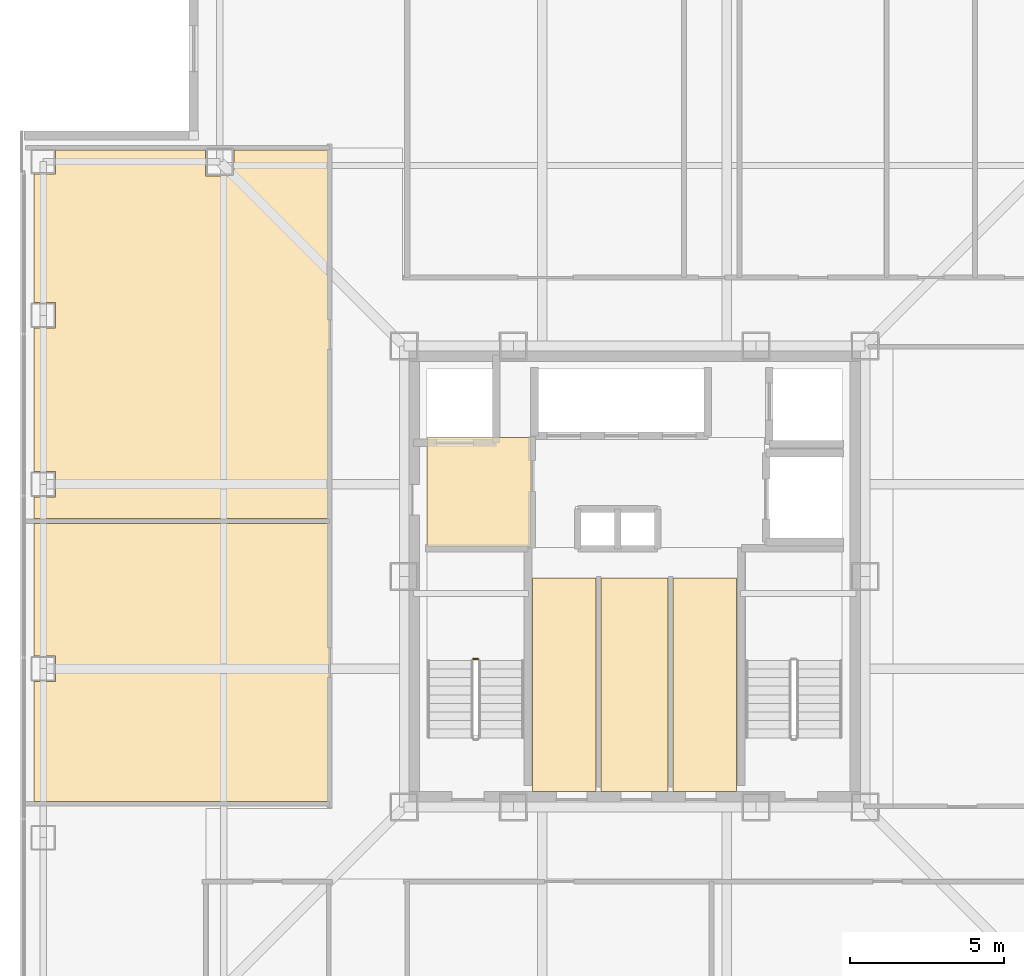
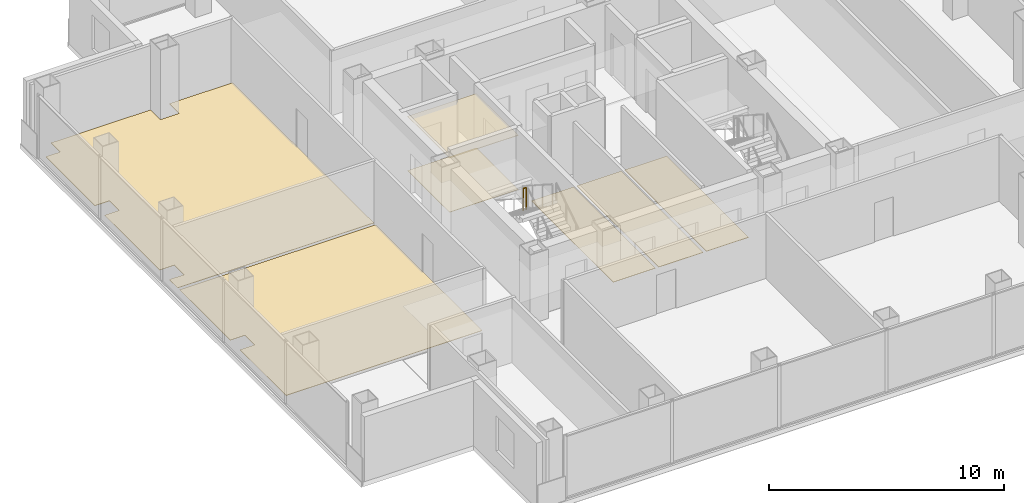
# One storey, part 15 of 18: 7 coverings, 1 railing.
"""IFC4 building model written with IfcOpenShell, lengths in metres."""

from ifc_helpers import new_model, si_unit, direction, frame, origin, origin_2d, place, context, subcontext, project, spatial, polyline, circle, outline, extrude, material, layer, layer_set, type_object, element, save


model = new_model("IFC4")

# Units and contexts
model_context = context("Model", 3, precision=1e-05, world=origin(), true_north=direction((0.0, 1.0)))
body_context = subcontext(model_context, "Body", "Model", "MODEL_VIEW")
ifc_project = project(units=[si_unit("LENGTHUNIT", "METRE"), si_unit("AREAUNIT", "SQUARE_METRE"), si_unit("VOLUMEUNIT", "CUBIC_METRE"), si_unit("PLANEANGLEUNIT", "RADIAN"), si_unit("MASSUNIT", "GRAM", prefix="KILO")], contexts=[model_context])

# Site, building, storey
site_placement = place(None, origin())
site = spatial("IfcSite", under=ifc_project, at=site_placement, CompositionType="ELEMENT")
building_placement = place(site_placement, origin())
building = spatial("IfcBuilding", under=site, at=building_placement, Name="Trevonay Congress Spire", CompositionType="ELEMENT")
storey_placement = place(building_placement, frame((0.0, 0.0, 220.199951171875)))
storey = spatial("IfcBuildingStorey", under=building, at=storey_placement, Name="L57", CompositionType="ELEMENT", Elevation=220.199951171875)

# Coverings
ifc_material_1 = material(Name="Acoustic Mineral Fibre Board", Category="gypsum")
ifc_layer_1 = layer(ifc_material_1, 0.02490234375, Name="Acoustic Mineral Fibre Board")
ifc_layer_set_1 = layer_set([ifc_layer_1], Name="Acoustic Mineral Fibre Board")
covering_type_1 = type_object("IfcCoveringType", Name="COV-CEIL-ACOUSTIC", PredefinedType="CEILING", material=ifc_layer_set_1)
covering_1_placement = place(storey_placement, frame((0.0, 0.0, 2.81005859375)))
element("IfcCovering", 1, at=covering_1_placement, inside=storey, type_object=covering_type_1, Name="L57 Firefighting Lift Lobby West acoustic suspended ceiling", PredefinedType="CEILING", context=body_context, shape_type="SweptSolid", body=[
    extrude(outline(polyline([(-6.75, 0.9599609375), (-3.3798828125, 0.9599609375), (-3.3798828125, 4.52001953125), (-6.75, 4.52001953125), (-6.75, 0.9599609375)])), origin(), (0.0, 0.0, 1.0), 0.02490234375),
])
ifc_material_2 = material(Name="Polished Granite Floor Tile", Category="masonry")
ifc_layer_2 = layer(ifc_material_2, 0.02001953125, Name="Polished Granite Floor Tile")
ifc_layer_set_2 = layer_set([ifc_layer_2], Name="Polished Granite Floor Tile")
covering_type_2 = type_object("IfcCoveringType", Name="COV-FLOOR-STONE", PredefinedType="FLOORING", material=ifc_layer_set_2)
covering_2_placement = place(storey_placement, origin())
element("IfcCovering", 2, at=covering_2_placement, inside=storey, type_object=covering_type_2, Name="L57 Firefighting Lift Lobby West floor finish", PredefinedType="FLOORING", context=body_context, shape_type="SweptSolid", body=[
    extrude(outline(polyline([(-6.75, 0.9599609375), (-3.3798828125, 0.9599609375), (-3.3798828125, 4.52001953125), (-6.75, 4.52001953125), (-6.75, 0.9599609375)])), origin(), (0.0, 0.0, 1.0), 0.02001953125),
])
covering_3_placement = place(storey_placement, origin())
element("IfcCovering", 3, at=covering_3_placement, inside=storey, type_object=covering_type_2, Name="L57 Core AHU Fan Plant Room floor finish", PredefinedType="FLOORING", context=body_context, shape_type="SweptSolid", body=[
    extrude(outline(polyline([(-3.320068359375, -7.0), (-1.25, -7.0), (-1.25, -0.050048828125), (-3.320068359375, -0.050048828125), (-3.320068359375, -7.0)])), origin(), (0.0, 0.0, 1.0), 0.02001953125),
])
covering_4_placement = place(storey_placement, origin())
element("IfcCovering", 4, at=covering_4_placement, inside=storey, type_object=covering_type_2, Name="L57 Core IT Comms Store floor finish", PredefinedType="FLOORING", context=body_context, shape_type="SweptSolid", body=[
    extrude(outline(polyline([(-1.090087890625, -7.0), (1.090087890625, -7.0), (1.090087890625, -0.050048828125), (-1.090087890625, -0.050048828125), (-1.090087890625, -7.0)])), origin(), (0.0, 0.0, 1.0), 0.02001953125),
])
covering_5_placement = place(storey_placement, origin())
element("IfcCovering", 5, at=covering_5_placement, inside=storey, type_object=covering_type_2, Name="L57 Housekeeping Linen Store floor finish", PredefinedType="FLOORING", context=body_context, shape_type="SweptSolid", body=[
    extrude(outline(polyline([(1.25, -7.0), (3.320068359375, -7.0), (3.320068359375, -0.050048828125), (1.25, -0.050048828125), (1.25, -7.0)])), origin(), (0.0, 0.0, 1.0), 0.02001953125),
])
covering_6_placement = place(storey_placement, origin())
element("IfcCovering", 6, at=covering_6_placement, inside=storey, type_object=covering_type_2, Name="L57 Architectural Stone Gallery Shop floor finish", PredefinedType="FLOORING", context=body_context, shape_type="SweptSolid", body=[
    extrude(outline(polyline([(-19.550048828125, 1.719970703125), (-9.929931640625, 1.719970703125), (-9.929931640625, -7.320068359375), (-19.550048828125, -7.320068359375), (-19.550048828125, -3.409912109375), (-18.840087890625, -3.409912109375), (-18.840087890625, -2.590087890625), (-19.550048828125, -2.590087890625), (-19.550048828125, 1.719970703125)])), origin(), (0.0, 0.0, 1.0), 0.02001953125),
])
covering_7_placement = place(storey_placement, origin())
element("IfcCovering", 7, at=covering_7_placement, inside=storey, type_object=covering_type_2, Name="L57 Marine Instruments Showroom Shop floor finish", PredefinedType="FLOORING", context=body_context, shape_type="SweptSolid", body=[
    extrude(outline(polyline([(-9.929931640625, 13.8701171875), (-9.929931640625, 1.8798828125), (-19.550048828125, 1.8798828125), (-19.550048828125, 2.590087890625), (-18.840087890625, 2.590087890625), (-18.840087890625, 3.409912109375), (-19.550048828125, 3.409912109375), (-19.550048828125, 8.090087890625), (-18.840087890625, 8.090087890625), (-18.840087890625, 8.909912109375), (-19.550048828125, 8.909912109375), (-19.550048828125, 13.090087890625), (-18.840087890625, 13.090087890625), (-18.840087890625, 13.8701171875), (-13.9599609375, 13.8701171875), (-13.9599609375, 13.0400390625), (-13.0400390625, 13.0400390625), (-13.0400390625, 13.8701171875), (-9.929931640625, 13.8701171875)])), origin(), (0.0, 0.0, 1.0), 0.02001953125),
])

# Railing
ifc_material_3 = material(Name="Pale Anodised Aluminium EN AW-6063-T6", Category="aluminium")
railing_type = type_object("IfcRailingType", Name="RAL-STAIR-GUARD-110", PredefinedType="GUARDRAIL", material=ifc_material_3)
railing_placement = place(storey_placement, frame((-5.10009765625, -2.679931640625, 1.800048828125)))
element("IfcRailing", 8, at=railing_placement, inside=storey, type_object=railing_type, Name="L57 ST-1 stair guard 2", PredefinedType="GUARDRAIL", context=body_context, shape_type="SweptSolid", body=[
    extrude(circle(Radius=0.02392578125, at=origin_2d()), frame((0.0, 0.0, 1.1259765625), z_axis=(-1.0, 0.0, 0.0), x_axis=(0.0, -1.0, 0.0)), (0.0, 0.0, 1.0), 0.14990234375),
    extrude(circle(Radius=0.02099609375, at=origin_2d()), origin(), (0.0, 0.0, 1.0), 1.101806640625),
    extrude(circle(Radius=0.02099609375, at=origin_2d()), frame((-0.14990234375, 0.0, 0.0)), (0.0, 0.0, 1.0), 1.101806640625),
])

save(model, "model.ifc")
